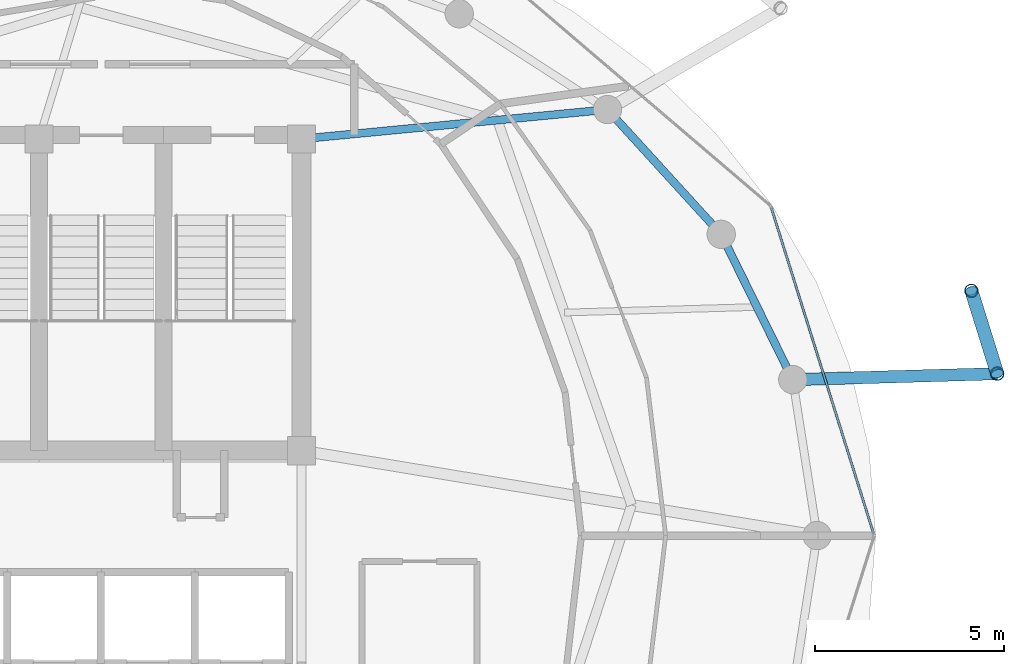
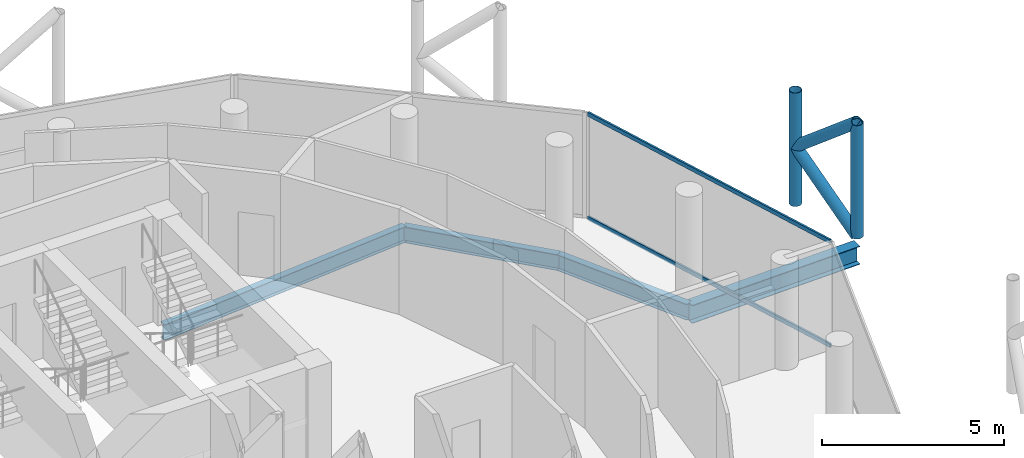
# One storey, part 13 of 24: 6 members, 4 beams, 1 element without a shape of its own.
"""IFC4 building model written with IfcOpenShell, lengths in metres."""

from ifc_helpers import new_model, si_unit, direction, frame, origin, origin_2d, place, context, subcontext, project, spatial, hollow_rectangle, hollow_circle, i_section, extrude, material, layer, layer_set, material_profile, profile_set, type_object, element, aggregate, save


model = new_model("IFC4")

# Units and contexts
model_context = context("Model", 3, precision=1e-05, world=origin(), true_north=direction((0.0, 1.0)))
body_context = subcontext(model_context, "Body", "Model", "MODEL_VIEW")
ifc_project = project(units=[si_unit("LENGTHUNIT", "METRE"), si_unit("AREAUNIT", "SQUARE_METRE"), si_unit("VOLUMEUNIT", "CUBIC_METRE"), si_unit("PLANEANGLEUNIT", "RADIAN"), si_unit("MASSUNIT", "GRAM", prefix="KILO")], contexts=[model_context])

# Site, building, storey
site_placement = place(None, origin())
site = spatial("IfcSite", under=ifc_project, at=site_placement, CompositionType="ELEMENT")
building_placement = place(site_placement, origin())
building = spatial("IfcBuilding", under=site, at=building_placement, Name="Nuhasar Tower", CompositionType="ELEMENT")
storey_placement = place(building_placement, frame((0.0, 0.0, 274.60009765625)))
storey = spatial("IfcBuildingStorey", under=building, at=storey_placement, Name="L68", CompositionType="ELEMENT", Elevation=274.60009765625)

# Beams
ifc_material_1 = material(Name="Steel S355", Category="steel")
ifc_material_profile_1 = material_profile(ifc_material_1, i_section(OverallWidth=0.208984375, OverallDepth=0.528076171875, WebThickness=0.009521484375, FlangeThickness=0.01318359375, at=origin_2d()), Name="W21X55")
ifc_profile_set_1 = profile_set([ifc_material_profile_1], Name="Steel S355")
beam_type_1 = type_object("IfcBeamType", Name="BM-RAD-W21X55", PredefinedType="BEAM", material=ifc_profile_set_1)
beam_1_placement = place(storey_placement, frame((44.300048828125, 37.300048828125, -0.524169921875), z_axis=(0.99542073054, 0.095590633496, 0.0), x_axis=(-0.095590633496, 0.99542073054, 0.0)))
element("IfcBeam", 1, at=beam_1_placement, inside=storey, type_object=beam_type_1, Name="L68 Radial Floor Girder 05", PredefinedType="BEAM", context=body_context, shape_type="SweptSolid", body=[
    extrude(i_section(OverallWidth=0.208984375, OverallDepth=0.528076171875, WebThickness=0.009521484375, FlangeThickness=0.01318359375, at=origin_2d()), origin(), (0.0, 0.0, 1.0), 8.13720703125),
])
ifc_material_profile_2 = material_profile(ifc_material_1, i_section(OverallWidth=0.2099609375, OverallDepth=0.537109375, WebThickness=0.010986328125, FlangeThickness=0.017333984375, at=origin_2d()), Name="W21X68")
ifc_profile_set_2 = profile_set([ifc_material_profile_2], Name="Steel S355")
beam_type_2 = type_object("IfcBeamType", Name="BM-RING-W21X68", PredefinedType="SPANDREL", material=ifc_profile_set_2)
beam_2_placement = place(storey_placement, frame((57.303955078125, 30.927978515625, -0.529052734375), z_axis=(-0.441533119295, 0.897244952377, 0.0), x_axis=(-0.897244952377, -0.441533119295, 0.0)))
element("IfcBeam", 2, at=beam_2_placement, inside=storey, type_object=beam_type_2, Name="L68 Perimeter Ring Spandrel 02", PredefinedType="SPANDREL", context=body_context, shape_type="SweptSolid", body=[
    extrude(i_section(OverallWidth=0.2099609375, OverallDepth=0.537109375, WebThickness=0.010986328125, FlangeThickness=0.017333984375, at=origin_2d()), origin(), (0.0, 0.0, 1.0), 4.28759765625),
])
beam_3_placement = place(storey_placement, frame((55.410888671875, 34.77490234375, -0.529052734375), z_axis=(-0.673686302939, 0.739017432293, 0.0), x_axis=(-0.739017432293, -0.673686302939, 0.0)))
element("IfcBeam", 3, at=beam_3_placement, inside=storey, type_object=beam_type_2, Name="L68 Perimeter Ring Spandrel 03", PredefinedType="SPANDREL", context=body_context, shape_type="SweptSolid", body=[
    extrude(i_section(OverallWidth=0.2099609375, OverallDepth=0.537109375, WebThickness=0.010986328125, FlangeThickness=0.017333984375, at=origin_2d()), origin(), (0.0, 0.0, 1.0), 4.469482421875),
])
ifc_material_profile_3 = material_profile(ifc_material_1, i_section(OverallWidth=0.323974609375, OverallDepth=0.611083984375, WebThickness=0.0126953125, FlangeThickness=0.01904296875, at=origin_2d()), Name="W24X104")
ifc_profile_set_3 = profile_set([ifc_material_profile_3], Name="Steel S355")
beam_type_3 = type_object("IfcBeamType", Name="BM-TIE-W24X104", PredefinedType="BEAM", material=ifc_profile_set_3)
beam_4_placement = place(storey_placement, frame((57.303955078125, 30.927978515625, -0.566162109375), z_axis=(0.999574661214, 0.029163275875, 0.0), x_axis=(-0.029163275875, 0.999574661214, 0.0)))
element("IfcBeam", 4, at=beam_4_placement, inside=storey, type_object=beam_type_3, Name="L68 Exoskeleton Node Tie Beam 01", PredefinedType="BEAM", context=body_context, shape_type="SweptSolid", body=[
    extrude(i_section(OverallWidth=0.323974609375, OverallDepth=0.611083984375, WebThickness=0.0126953125, FlangeThickness=0.01904296875, at=origin_2d()), origin(), (0.0, 0.0, 1.0), 5.416259765625),
])

# Curtain wall, members
ifc_material_2 = material(Name="Aluminium 6063-T6", Category="aluminium")
ifc_layer = layer(ifc_material_2, 0.18994140625)
ifc_layer_set = layer_set([ifc_layer], Name="Aluminium 6063-T6")
curtain_wall_type = type_object("IfcCurtainWallType", Name="CW-Z4-PEN", PredefinedType="NOTDEFINED", material=ifc_layer_set)
curtain_wall_placement = place(storey_placement, origin())
curtain_wall = element("IfcCurtainWall", 5, at=curtain_wall_placement, inside=storey, type_object=curtain_wall_type, Name="L68 Unitised Curtain Wall 01", PredefinedType="NOTDEFINED")
ifc_material_profile_4 = material_profile(ifc_material_2, hollow_rectangle(XDim=0.06005859375, YDim=0.135009765625, WallThickness=0.00439453125, at=origin_2d()), Name="CWT-5")
ifc_profile_set_4 = profile_set([ifc_material_profile_4], Name="Aluminium 6063-T6")
member_type_1 = type_object("IfcMemberType", Name="CW-TRN-S5", PredefinedType="USERDEFINED", material=ifc_profile_set_4)
member_1_placement = place(storey_placement, frame((59.442138671875, 26.857177734375, 0.02978515625), z_axis=(-0.29956014073, 0.954077419335, 0.0), x_axis=(-0.954077419335, -0.29956014073, 0.0)))
member_1 = element("IfcMember", 6, at=member_1_placement, type_object=member_type_1, Name="CW-Z4 transom 1.1", ObjectType="TRANSOM", PredefinedType="USERDEFINED", context=body_context, shape_type="SweptSolid", body=[
    extrude(hollow_rectangle(XDim=0.06005859375, YDim=0.135009765625, WallThickness=0.00439453125, at=origin_2d()), origin(), (0.0, 0.0, 1.0), 9.0302734375),
])
member_2_placement = place(storey_placement, frame((59.442138671875, 26.857177734375, 3.510009765625), z_axis=(-0.29956014073, 0.954077419335, 0.0), x_axis=(-0.954077419335, -0.29956014073, 0.0)))
member_2 = element("IfcMember", 7, at=member_2_placement, type_object=member_type_1, Name="CW-Z4 transom 1.2", ObjectType="TRANSOM", PredefinedType="USERDEFINED", context=body_context, shape_type="SweptSolid", body=[
    extrude(hollow_rectangle(XDim=0.06005859375, YDim=0.135009765625, WallThickness=0.00439453125, at=origin_2d()), origin(), (0.0, 0.0, 1.0), 9.0302734375),
])
aggregate(curtain_wall, [member_1, member_2])

# Members
ifc_material_3 = material(Name="Steel S460", Category="steel")
ifc_material_profile_5 = material_profile(ifc_material_3, hollow_circle(Radius=0.177734375, WallThickness=0.015869140625, at=origin_2d()), Name="HSS355.6X15.9")
ifc_profile_set_5 = profile_set([ifc_material_profile_5], Name="Steel S460")
member_type_2 = type_object("IfcMemberType", Name="EXO-BRONZE-356", PredefinedType="BRACE", material=ifc_profile_set_5)
for number, where, z_axis, x_axis, name in (
    (8, (62.718017578125, 31.0859375, 0.0), (0.0, 0.0, 1.0), (1.0, 0.0, 0.0), "L68 Exoskeleton Chord Column EC-01A"),
    (9, (62.032958984375, 33.281005859375, 0.0), (0.0, 0.0, 1.0), (1.0, 0.0, 0.0), "L68 Exoskeleton Chord Column EC-01B"),
):
    element("IfcMember", number, at=place(storey_placement, frame(where, z_axis=z_axis, x_axis=x_axis)), inside=storey, type_object=member_type_2, Name=name, PredefinedType="BRACE", context=body_context, shape_type="SweptSolid", body=[
        extrude(hollow_circle(Radius=0.177734375, WallThickness=0.015869140625, at=origin_2d()), origin(), (0.0, 0.0, 1.0), 3.7998046875),
    ])
for number, where, z_axis, x_axis, name in (
    (10, (62.718017578125, 31.0859375, 0.0), (-0.229667527485, 0.735901902929, 0.636946792192), (-0.954591372974, -0.297918295247, 0.0), "L68 Bronze Diagrid Brace W1-01"),
    (11, (62.032958984375, 33.281005859375, 1.89990234375), (0.229667527485, -0.735901902929, 0.636946792192), (0.954591372974, 0.297918295247, 0.0), "L68 Bronze Diagrid Brace W2-01"),
):
    element("IfcMember", number, at=place(storey_placement, frame(where, z_axis=z_axis, x_axis=x_axis)), inside=storey, type_object=member_type_2, Name=name, PredefinedType="BRACE", context=body_context, shape_type="SweptSolid", body=[
        extrude(hollow_circle(Radius=0.177734375, WallThickness=0.015869140625, at=origin_2d()), origin(), (0.0, 0.0, 1.0), 2.98291015625),
    ])

save(model, "model.ifc")
